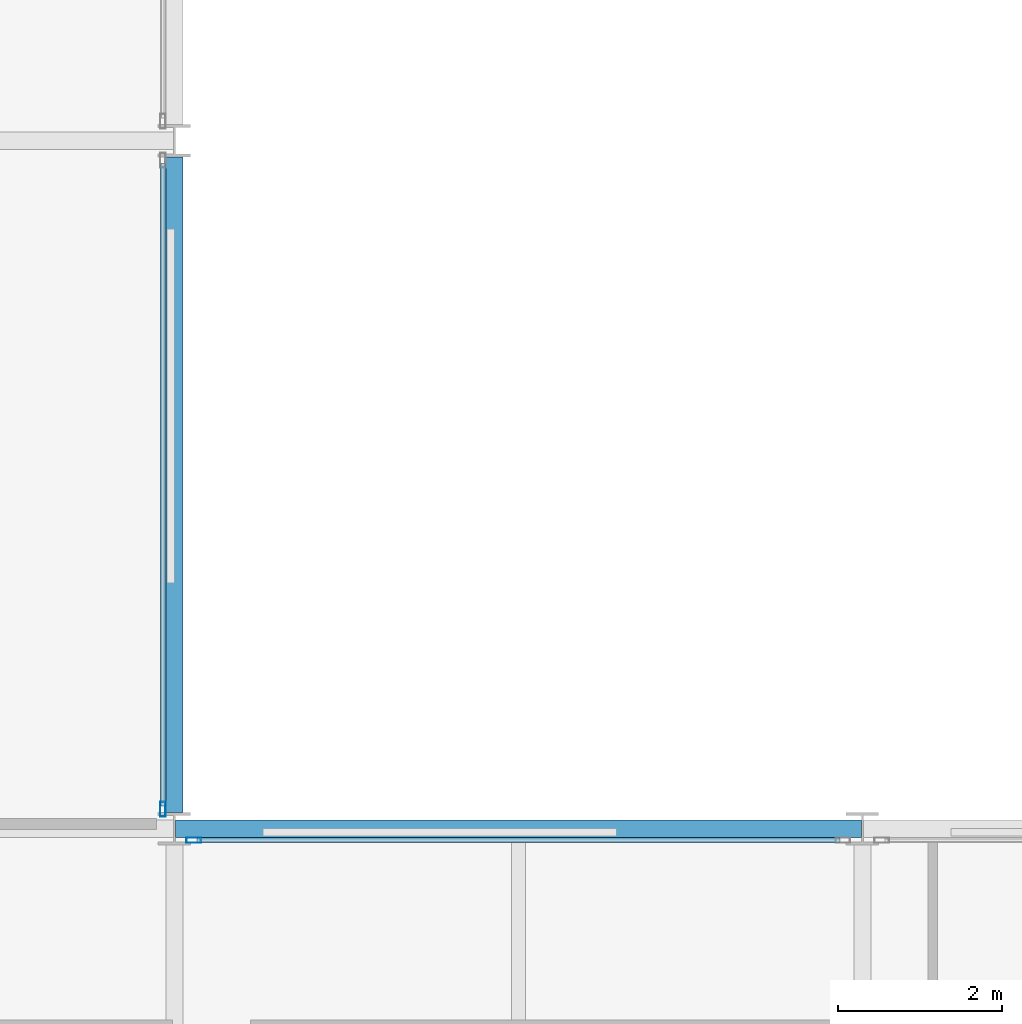
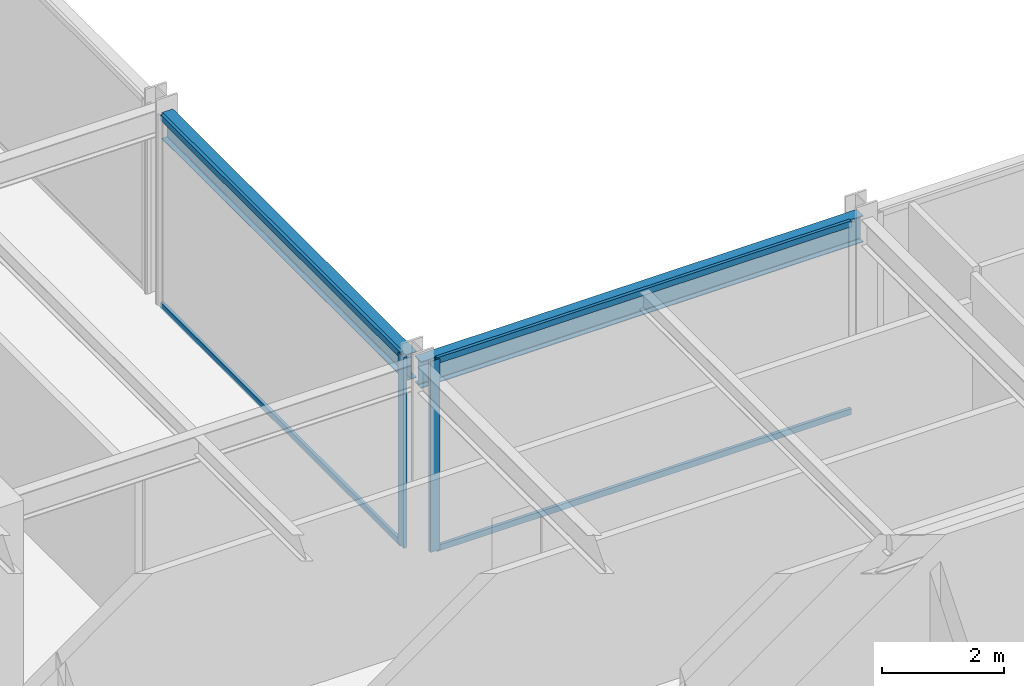
# One storey, part 15 of 38: 6 members, 2 beams, 2 elements without a shape of their own.
"""IFC4 building model written with IfcOpenShell, lengths in metres."""

from ifc_helpers import new_model, si_unit, direction, frame, origin, origin_2d, place, context, subcontext, project, spatial, hollow_rectangle, i_section, extrude, material, layer, layer_set, material_profile, profile_set, type_object, element, aggregate, save


model = new_model("IFC4")

# Units and contexts
model_context = context("Model", 3, precision=1e-05, world=origin(), true_north=direction((0.0, 1.0)))
body_context = subcontext(model_context, "Body", "Model", "MODEL_VIEW")
ifc_project = project(units=[si_unit("LENGTHUNIT", "METRE"), si_unit("AREAUNIT", "SQUARE_METRE"), si_unit("VOLUMEUNIT", "CUBIC_METRE"), si_unit("PLANEANGLEUNIT", "RADIAN"), si_unit("MASSUNIT", "GRAM", prefix="KILO")], contexts=[model_context])

# Site, building, storey
site_placement = place(None, origin())
site = spatial("IfcSite", under=ifc_project, at=site_placement, CompositionType="ELEMENT")
building_placement = place(site_placement, origin())
building = spatial("IfcBuilding", under=site, at=building_placement, Name="Nerrivon Quay Data Exchange", CompositionType="ELEMENT")
storey_placement = place(building_placement, frame((0.0, 0.0, 88.5)))
storey = spatial("IfcBuildingStorey", under=building, at=storey_placement, Name="L20", CompositionType="ELEMENT", Elevation=88.5)

# Beams
ifc_material_1 = material(Name="Steel Grade 350", Category="steel")
ifc_material_profile_1 = material_profile(ifc_material_1, i_section(OverallWidth=0.208984375, OverallDepth=0.532958984375, WebThickness=0.01025390625, FlangeThickness=0.015625, FilletRadius=0.013916015625, at=origin_2d()), Name="530UB92.4")
ifc_profile_set_1 = profile_set([ifc_material_profile_1], Name="Steel Grade 350")
beam_type_1 = type_object("IfcBeamType", Name="BM-G3-530UB92", PredefinedType="BEAM", material=ifc_profile_set_1)
beam_1_placement = place(storey_placement, frame((25.21240234375, 25.199951171875, 3.55859375), z_axis=(1.0, 0.0, 0.0), x_axis=(0.0, 1.0, 0.0)))
element("IfcBeam", 1, at=beam_1_placement, inside=storey, type_object=beam_type_1, Name="L20 EW Girder Y=25.2 (25.2..33.6)", PredefinedType="BEAM", context=body_context, shape_type="SweptSolid", body=[
    extrude(i_section(OverallWidth=0.208984375, OverallDepth=0.532958984375, WebThickness=0.01025390625, FlangeThickness=0.015625, FilletRadius=0.013916015625, at=origin_2d()), origin(), (0.0, 0.0, 1.0), 8.375),
])
ifc_material_profile_2 = material_profile(ifc_material_1, i_section(OverallWidth=0.208984375, OverallDepth=0.528076171875, WebThickness=0.009521484375, FlangeThickness=0.01318359375, FilletRadius=0.013916015625, at=origin_2d()), Name="530UB82.0")
ifc_profile_set_2 = profile_set([ifc_material_profile_2], Name="Steel Grade 350")
beam_type_2 = type_object("IfcBeamType", Name="BM-G4-530UB82", PredefinedType="BEAM", material=ifc_profile_set_2)
beam_2_placement = place(storey_placement, frame((25.199951171875, 25.39990234375, 3.56103515625), z_axis=(0.0, 1.0, 0.0), x_axis=(-1.0, 0.0, 0.0)))
element("IfcBeam", 2, at=beam_2_placement, inside=storey, type_object=beam_type_2, Name="L20 NS Girder X=25.2 (25.2..33.6)", PredefinedType="BEAM", context=body_context, shape_type="SweptSolid", body=[
    extrude(i_section(OverallWidth=0.208984375, OverallDepth=0.528076171875, WebThickness=0.009521484375, FlangeThickness=0.01318359375, FilletRadius=0.013916015625, at=origin_2d()), origin(), (0.0, 0.0, 1.0), 8.0),
])

# Curtain wall, member
ifc_material_2 = material(Name="Anodised aluminium 6063-T6", Category="aluminium")
ifc_layer = layer(ifc_material_2, 0.2099609375)
ifc_layer_set = layer_set([ifc_layer], Name="Anodised aluminium 6063-T6")
curtain_wall_type = type_object("IfcCurtainWallType", Name="CW-SYS-02", PredefinedType="NOTDEFINED", material=ifc_layer_set)
curtain_wall_1_placement = place(storey_placement, origin())
curtain_wall_1 = element("IfcCurtainWall", 3, at=curtain_wall_1_placement, inside=storey, type_object=curtain_wall_type, Name="L20 Unitised Curtain Wall 31", PredefinedType="NOTDEFINED")
ifc_material_profile_3 = material_profile(ifc_material_2, hollow_rectangle(XDim=0.06494140625, YDim=0.179931640625, WallThickness=0.00341796875, at=origin_2d()), Name="ALU-MULL-180x65")
ifc_profile_set_3 = profile_set([ifc_material_profile_3], Name="Anodised aluminium 6063-T6")
member_type_1 = type_object("IfcMemberType", Name="CWM-180x65", PredefinedType="MULLION", material=ifc_profile_set_3)
member_1_placement = place(storey_placement, frame((25.06005859375, 25.4375, 0.0), z_axis=(0.0, 0.0, 1.0), x_axis=(1.0, 0.0, 0.0)))
member_1 = element("IfcMember", 4, at=member_1_placement, type_object=member_type_1, Name="CW02 mullion 2", PredefinedType="MULLION", context=body_context, shape_type="SweptSolid", body=[
    extrude(hollow_rectangle(XDim=0.06494140625, YDim=0.179931640625, WallThickness=0.00341796875, at=origin_2d()), origin(), (0.0, 0.0, 1.0), 3.824951171875),
])

curtain_wall_2_placement = place(storey_placement, origin())
curtain_wall_2 = element("IfcCurtainWall", 5, at=curtain_wall_2_placement, inside=storey, type_object=curtain_wall_type, Name="L20 Unitised Curtain Wall 32", PredefinedType="NOTDEFINED")
member_2_placement = place(storey_placement, frame((25.4375, 25.06005859375, 0.0), z_axis=(0.0, 0.0, 1.0), x_axis=(0.0, 1.0, 0.0)))
member_2 = element("IfcMember", 6, at=member_2_placement, type_object=member_type_1, Name="CW02 mullion 1", PredefinedType="MULLION", context=body_context, shape_type="SweptSolid", body=[
    extrude(hollow_rectangle(XDim=0.06494140625, YDim=0.179931640625, WallThickness=0.00341796875, at=origin_2d()), origin(), (0.0, 0.0, 1.0), 3.824951171875),
])

# Member
ifc_material_profile_4 = material_profile(ifc_material_2, hollow_rectangle(XDim=0.06005859375, YDim=0.1201171875, WallThickness=0.003173828125, at=origin_2d()), Name="ALU-TRAN-120x60")
ifc_profile_set_4 = profile_set([ifc_material_profile_4], Name="Anodised aluminium 6063-T6")
member_type_2 = type_object("IfcMemberType", Name="CWT-120x60", PredefinedType="USERDEFINED", material=ifc_profile_set_4)
member_3_placement = place(storey_placement, frame((25.06005859375, 33.324951171875, 0.032470703125), z_axis=(0.0, -1.0, 0.0), x_axis=(1.0, 0.0, 0.0)))
member_3 = element("IfcMember", 7, at=member_3_placement, type_object=member_type_2, Name="CW02 transom 1.1", ObjectType="TRANSOM", PredefinedType="USERDEFINED", context=body_context, shape_type="SweptSolid", body=[
    extrude(hollow_rectangle(XDim=0.06005859375, YDim=0.1201171875, WallThickness=0.003173828125, at=origin_2d()), origin(), (0.0, 0.0, 1.0), 7.849853515625),
])

member_4_placement = place(storey_placement, frame((25.06005859375, 33.324951171875, 3.79248046875), z_axis=(0.0, -1.0, 0.0), x_axis=(1.0, 0.0, 0.0)))
member_4 = element("IfcMember", 8, at=member_4_placement, type_object=member_type_2, Name="CW02 transom 1.2", ObjectType="TRANSOM", PredefinedType="USERDEFINED", context=body_context, shape_type="SweptSolid", body=[
    extrude(hollow_rectangle(XDim=0.06005859375, YDim=0.1201171875, WallThickness=0.003173828125, at=origin_2d()), origin(), (0.0, 0.0, 1.0), 7.849853515625),
])

aggregate(curtain_wall_1, [member_1, member_3, member_4])

member_5_placement = place(storey_placement, frame((25.47509765625, 25.06005859375, 0.032470703125), z_axis=(1.0, 0.0, 0.0), x_axis=(0.0, 1.0, 0.0)))
member_5 = element("IfcMember", 9, at=member_5_placement, type_object=member_type_2, Name="CW02 transom 1.1", ObjectType="TRANSOM", PredefinedType="USERDEFINED", context=body_context, shape_type="SweptSolid", body=[
    extrude(hollow_rectangle(XDim=0.06005859375, YDim=0.1201171875, WallThickness=0.003173828125, at=origin_2d()), origin(), (0.0, 0.0, 1.0), 7.849853515625),
])

member_6_placement = place(storey_placement, frame((25.47509765625, 25.06005859375, 3.79248046875), z_axis=(1.0, 0.0, 0.0), x_axis=(0.0, 1.0, 0.0)))
member_6 = element("IfcMember", 10, at=member_6_placement, type_object=member_type_2, Name="CW02 transom 1.2", ObjectType="TRANSOM", PredefinedType="USERDEFINED", context=body_context, shape_type="SweptSolid", body=[
    extrude(hollow_rectangle(XDim=0.06005859375, YDim=0.1201171875, WallThickness=0.003173828125, at=origin_2d()), origin(), (0.0, 0.0, 1.0), 7.849853515625),
])

aggregate(curtain_wall_2, [member_2, member_5, member_6])

save(model, "model.ifc")
